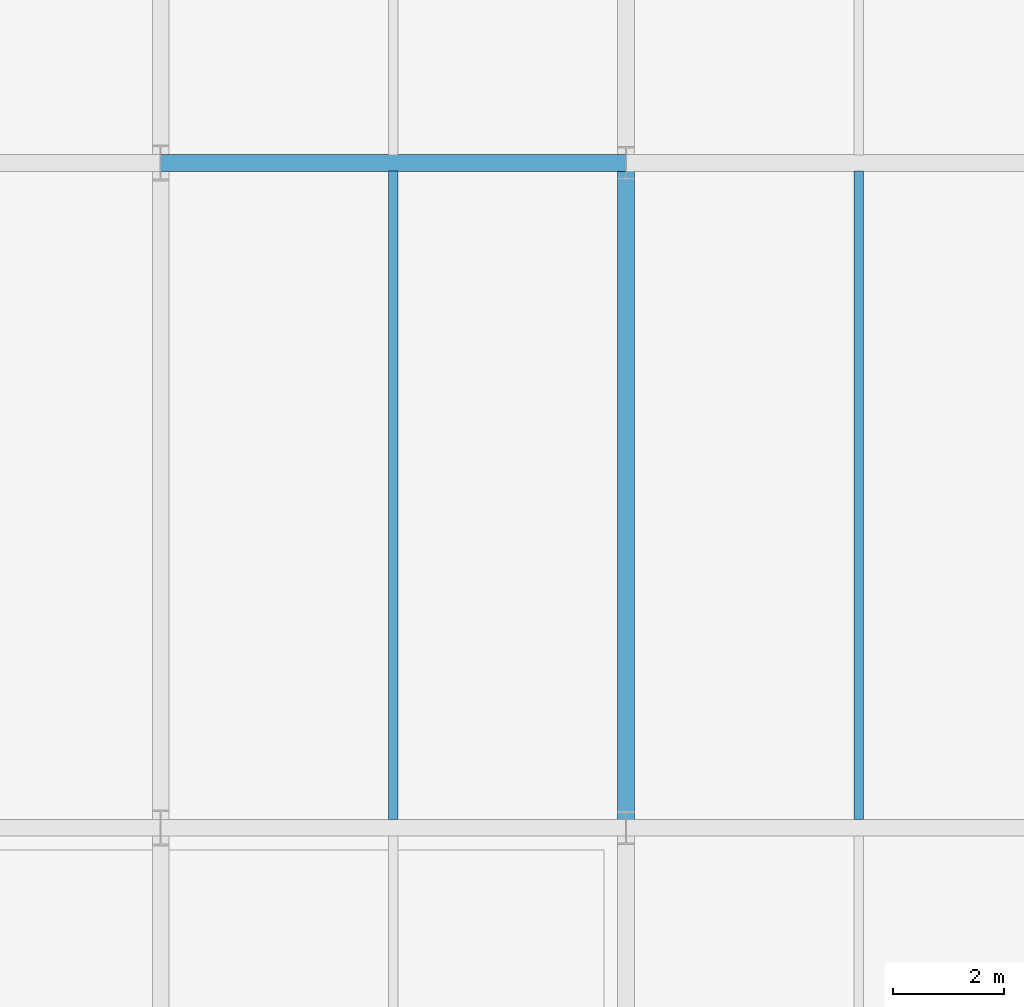
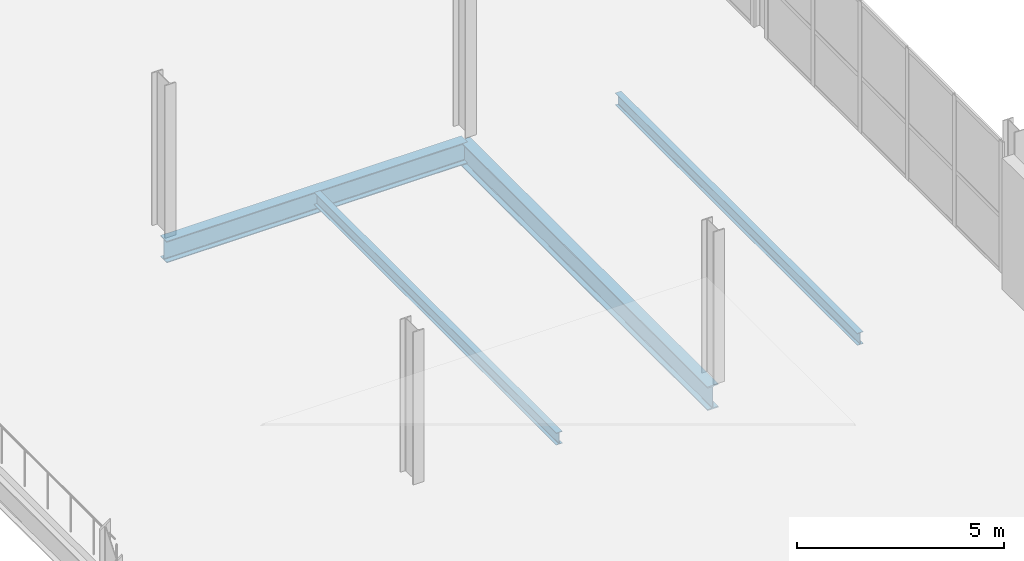
# One storey, part 62 of 130: 4 beams.
"""IFC4 building model written with IfcOpenShell, lengths in metres."""

from ifc_helpers import new_model, si_unit, direction, frame, origin, origin_2d, place, context, subcontext, project, spatial, i_section, extrude, material, material_profile, profile_set, type_object, element, save


model = new_model("IFC4")

# Units and contexts
model_context = context("Model", 3, precision=1e-05, world=origin(), true_north=direction((0.0, 1.0)))
body_context = subcontext(model_context, "Body", "Model", "MODEL_VIEW")
ifc_project = project(units=[si_unit("LENGTHUNIT", "METRE"), si_unit("AREAUNIT", "SQUARE_METRE"), si_unit("VOLUMEUNIT", "CUBIC_METRE"), si_unit("PLANEANGLEUNIT", "RADIAN"), si_unit("MASSUNIT", "GRAM", prefix="KILO")], contexts=[model_context])

# Site, building, storey
site_placement = place(None, origin())
site = spatial("IfcSite", under=ifc_project, at=site_placement, CompositionType="ELEMENT")
building_placement = place(site_placement, origin())
building = spatial("IfcBuilding", under=site, at=building_placement, Name="Veltarok Museum of Natural Sciences", CompositionType="ELEMENT")
storey_placement = place(building_placement, frame((0.0, 0.0, 12.89990234375)))
storey = spatial("IfcBuildingStorey", under=building, at=storey_placement, Name="L02", CompositionType="ELEMENT", Elevation=12.89990234375)

# Beams
ifc_material = material(Name="Steel S355J2", Category="steel")
ifc_material_profile_1 = material_profile(ifc_material, i_section(OverallWidth=0.300048828125, OverallDepth=0.639892578125, WebThickness=0.013427734375, FlangeThickness=0.02587890625, FilletRadius=0.027099609375, at=origin_2d()), Name="HEA 650")
ifc_profile_set_1 = profile_set([ifc_material_profile_1], Name="Steel S355J2")
beam_type_1 = type_object("IfcBeamType", Name="Heavy Exhibition Girder HEA 650", PredefinedType="BEAM", material=ifc_profile_set_1)
beam_1_placement = place(storey_placement, frame((82.0, 60.0, -0.56982421875), z_axis=(1.0, 0.0, 0.0), x_axis=(0.0, 1.0, 0.0)))
element("IfcBeam", 1, at=beam_1_placement, inside=storey, type_object=beam_type_1, Name="Beam BM-G08 L02 10-11/G", PredefinedType="BEAM", context=body_context, shape_type="SweptSolid", body=[
    extrude(i_section(OverallWidth=0.300048828125, OverallDepth=0.639892578125, WebThickness=0.013427734375, FlangeThickness=0.02587890625, FilletRadius=0.027099609375, at=origin_2d()), origin(), (0.0, 0.0, 1.0), 8.39990234375),
])
ifc_material_profile_2 = material_profile(ifc_material, i_section(OverallWidth=0.169921875, OverallDepth=0.360107421875, WebThickness=0.008056640625, FlangeThickness=0.0126953125, FilletRadius=0.01806640625, at=origin_2d()), Name="IPE 360")
ifc_profile_set_2 = profile_set([ifc_material_profile_2], Name="Steel S355J2")
beam_type_2 = type_object("IfcBeamType", Name="Long-Bay Composite Joist IPE 360", PredefinedType="JOIST", material=ifc_profile_set_2)
for number, where, z_axis, x_axis, name in (
    (2, (86.199951171875, 48.14794921875, -0.429931640625), (0.0, 1.0, 0.0), (-1.0, 0.0, 0.0), "Secondary Joist BM-J01 L02 10-11/F-G.1"),
    (3, (94.60009765625, 48.14794921875, -0.429931640625), (0.0, 1.0, 0.0), (-1.0, 0.0, 0.0), "Secondary Joist BM-J01 L02 11-12/F-G.1"),
):
    element("IfcBeam", number, at=place(storey_placement, frame(where, z_axis=z_axis, x_axis=x_axis)), inside=storey, type_object=beam_type_2, Name=name, PredefinedType="JOIST", context=body_context, shape_type="SweptSolid", body=[
        extrude(i_section(OverallWidth=0.169921875, OverallDepth=0.360107421875, WebThickness=0.008056640625, FlangeThickness=0.0126953125, FilletRadius=0.01806640625, at=origin_2d()), origin(), (0.0, 0.0, 1.0), 11.7041015625),
    ])
ifc_material_profile_3 = material_profile(ifc_material, i_section(OverallWidth=0.300048828125, OverallDepth=0.699951171875, WebThickness=0.01708984375, FlangeThickness=0.031982421875, FilletRadius=0.027099609375, at=origin_2d()), Name="HEB 700")
ifc_profile_set_3 = profile_set([ifc_material_profile_3], Name="Steel S355J2")
beam_type_3 = type_object("IfcBeamType", Name="Long-Span Hall Girder HEB 700", PredefinedType="BEAM", material=ifc_profile_set_3)
beam_2_placement = place(storey_placement, frame((90.39990234375, 48.0, -0.599853515625), z_axis=(0.0, 1.0, 0.0), x_axis=(-1.0, 0.0, 0.0)))
element("IfcBeam", 4, at=beam_2_placement, inside=storey, type_object=beam_type_3, Name="Beam BM-G01 L02 11/F-G", PredefinedType="BEAM", context=body_context, shape_type="SweptSolid", body=[
    extrude(i_section(OverallWidth=0.300048828125, OverallDepth=0.699951171875, WebThickness=0.01708984375, FlangeThickness=0.031982421875, FilletRadius=0.027099609375, at=origin_2d()), origin(), (0.0, 0.0, 1.0), 12.0),
])

save(model, "model.ifc")
